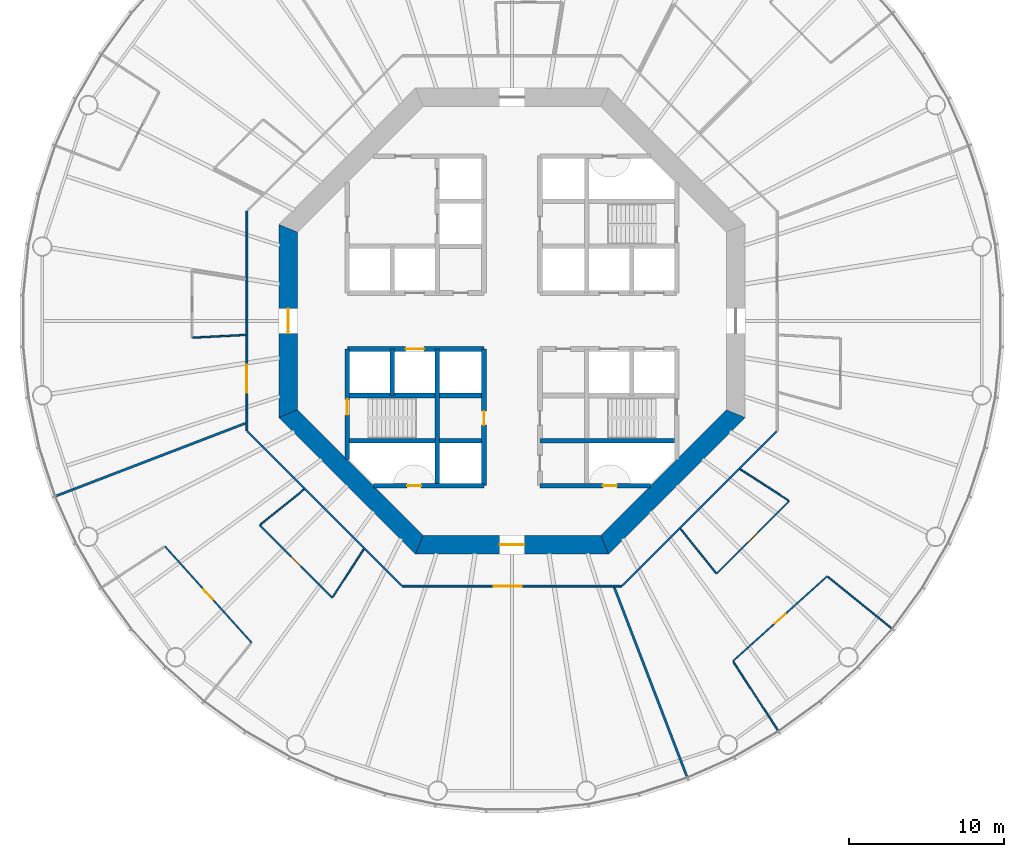
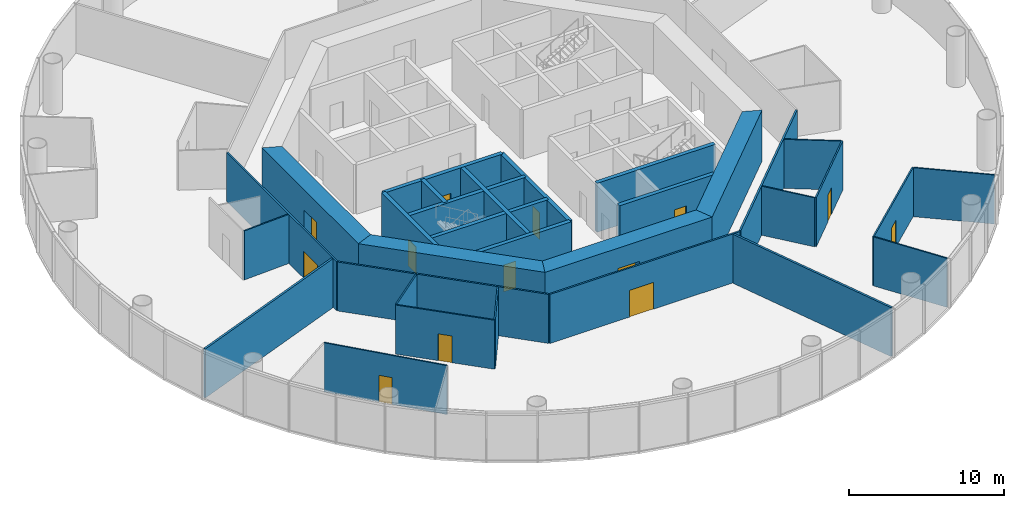
# One storey, part 3 of 13: 31 walls, 13 doors, 13 openings.
"""IFC4 building model written with IfcOpenShell, lengths in metres."""

from ifc_helpers import new_model, si_unit, direction, frame, frame_2d, origin, place, context, subcontext, project, spatial, polyline, rectangle, outline, extrude, material, layer, layer_set, type_object, element, fill, save


model = new_model("IFC4")

# Units and contexts
model_context = context("Model", 3, precision=1e-05, world=origin(), true_north=direction((0.0, 1.0)))
body_context = subcontext(model_context, "Body", "Model", "MODEL_VIEW")
ifc_project = project(units=[si_unit("LENGTHUNIT", "METRE"), si_unit("AREAUNIT", "SQUARE_METRE"), si_unit("VOLUMEUNIT", "CUBIC_METRE"), si_unit("PLANEANGLEUNIT", "RADIAN"), si_unit("MASSUNIT", "GRAM", prefix="KILO")], contexts=[model_context])

# Site, building, storey
site_placement = place(None, origin())
site = spatial("IfcSite", under=ifc_project, at=site_placement, CompositionType="ELEMENT")
building_placement = place(site_placement, origin())
building = spatial("IfcBuilding", under=site, at=building_placement, Name="Entoto Ring Tower", CompositionType="ELEMENT")
storey_placement = place(building_placement, frame((0.0, 0.0, 104.0)))
storey = spatial("IfcBuildingStorey", under=building, at=storey_placement, Name="L23", CompositionType="ELEMENT", Elevation=104.0)

# Wall, opening, door
ifc_material_1 = material(Name="Concrete C40/50", Category="concrete")
ifc_layer_1 = layer(ifc_material_1, 0.300048828125)
ifc_layer_set_1 = layer_set([ifc_layer_1], Name="Concrete C40/50")
wall_type_1 = type_object("IfcWallType", Name="Core enclosure wall 300 mm reinforced concrete", PredefinedType="SOLIDWALL", material=ifc_layer_set_1)
wall_1_placement = place(storey_placement, frame((88.199951171875, 69.39990234375, 0.0), z_axis=(0.0, 0.0, 1.0), x_axis=(0.0, 1.0, 0.0)))
wall_1 = element("IfcWall", 1, at=wall_1_placement, inside=storey, type_object=wall_type_1, Name="wall-L23-009", PredefinedType="SOLIDWALL", context=body_context, shape_type="SweptSolid", body=[
    extrude(rectangle(XDim=8.800048828125, YDim=0.300048828125, at=frame_2d((4.39990234375, 0.0))), origin(), (0.0, 0.0, 1.0), 3.85009765625),
])
opening_1_placement = place(wall_1_placement, frame((3.89990234375, 0.0, 0.0)))
opening_1 = element("IfcOpeningElement", 2, at=opening_1_placement, cuts=wall_1, Name="Opening K-14", PredefinedType="OPENING", context=body_context, shape_type="SweptSolid", body=[
    extrude(rectangle(XDim=0.89990234375, YDim=2.10009765625, at=frame_2d((0.449951171875, 1.050048828125))), frame((0.0, 0.16015625, 0.0), z_axis=(0.0, -1.0, 0.0), x_axis=(1.0, 0.0, 0.0)), (0.0, 0.0, 1.0), 0.320068359375),
])
ifc_material_2 = material(Name="Steel door leaf, fire rated", Category="steel")
ifc_layer_2 = layer(ifc_material_2, 0.050048828125)
ifc_layer_set_2 = layer_set([ifc_layer_2], Name="Steel door leaf, fire rated")
door_type_1 = type_object("IfcDoorType", Name="Core door 900 x 2100 single leaf", OperationType="NOTDEFINED", PredefinedType="DOOR", material=ifc_layer_set_2)
door_1_placement = place(opening_1_placement, origin())
door_1 = element("IfcDoor", 3, at=door_1_placement, inside=storey, type_object=door_type_1, Name="Door K-14", OperationType="SINGLE_SWING_RIGHT", OverallHeight=2.10009765625, OverallWidth=0.89990234375, PredefinedType="DOOR", context=body_context, shape_type="SweptSolid", body=[
    extrude(rectangle(XDim=0.89990234375, YDim=2.10009765625, at=frame_2d((0.449951171875, 1.050048828125))), frame((0.0, 0.02490234375, 0.0), z_axis=(0.0, -1.0, 0.0), x_axis=(1.0, 0.0, 0.0)), (0.0, 0.0, 1.0), 0.050048828125),
])
fill(opening_1, door_1)

# Walls
wall_2_placement = place(storey_placement, frame((85.199951171875, 69.39990234375, 0.0), z_axis=(0.0, 0.0, 1.0), x_axis=(0.0, 1.0, 0.0)))
element("IfcWall", 4, at=wall_2_placement, inside=storey, type_object=wall_type_1, Name="wall-L23-011", PredefinedType="SOLIDWALL", context=body_context, shape_type="SweptSolid", body=[
    extrude(rectangle(XDim=8.800048828125, YDim=0.300048828125, at=frame_2d((4.39990234375, 0.0))), origin(), (0.0, 0.0, 1.0), 3.85009765625),
])
wall_3_placement = place(storey_placement, frame((82.300048828125, 75.199951171875, 0.0), z_axis=(0.0, 0.0, 1.0), x_axis=(0.0, 1.0, 0.0)))
element("IfcWall", 5, at=wall_3_placement, inside=storey, type_object=wall_type_1, Name="wall-L23-013", PredefinedType="SOLIDWALL", context=body_context, shape_type="SweptSolid", body=[
    extrude(rectangle(XDim=3.0, YDim=0.300048828125, at=frame_2d((1.5, 0.0))), origin(), (0.0, 0.0, 1.0), 3.85009765625),
])

# Wall, opening, door
wall_4_placement = place(storey_placement, frame((79.39990234375, 71.083984375, 0.0), z_axis=(0.0, 0.0, 1.0), x_axis=(0.0, 1.0, 0.0)))
wall_4 = element("IfcWall", 6, at=wall_4_placement, inside=storey, type_object=wall_type_1, Name="wall-L23-015", PredefinedType="SOLIDWALL", context=body_context, shape_type="SweptSolid", body=[
    extrude(rectangle(XDim=7.115966796875, YDim=0.300048828125, at=frame_2d((3.55810546875, 0.0))), origin(), (0.0, 0.0, 1.0), 3.85009765625),
])
opening_2_placement = place(wall_4_placement, frame((2.8662109375, 0.0, 0.0)))
opening_2 = element("IfcOpeningElement", 7, at=opening_2_placement, cuts=wall_4, Name="Opening K-59", PredefinedType="OPENING", context=body_context, shape_type="SweptSolid", body=[
    extrude(rectangle(XDim=1.0, YDim=2.10009765625, at=frame_2d((0.5, 1.050048828125))), frame((0.0, 0.16015625, 0.0), z_axis=(0.0, -1.0, 0.0), x_axis=(1.0, 0.0, 0.0)), (0.0, 0.0, 1.0), 0.320068359375),
])
ifc_material_3 = material(Name="Steel door leaf, fire rated", Category="steel")
ifc_layer_3 = layer(ifc_material_3, 0.050048828125)
ifc_layer_set_3 = layer_set([ifc_layer_3], Name="Steel door leaf, fire rated")
door_type_2 = type_object("IfcDoorType", Name="Fire door FD60 1000 x 2100 single leaf", OperationType="NOTDEFINED", PredefinedType="DOOR", material=ifc_layer_set_3)
door_2_placement = place(opening_2_placement, frame((1.0, 0.0, 0.0), z_axis=(0.0, 0.0, 1.0), x_axis=(-1.0, 0.0, 0.0)))
door_2 = element("IfcDoor", 8, at=door_2_placement, inside=storey, type_object=door_type_2, Name="Door K-59", OperationType="SINGLE_SWING_LEFT", OverallHeight=2.10009765625, OverallWidth=1.0, PredefinedType="DOOR", context=body_context, shape_type="SweptSolid", body=[
    extrude(rectangle(XDim=1.0, YDim=2.10009765625, at=frame_2d((0.5, 1.050048828125))), frame((0.0, 0.02490234375, 0.0), z_axis=(0.0, -1.0, 0.0), x_axis=(1.0, 0.0, 0.0)), (0.0, 0.0, 1.0), 0.050048828125),
])
fill(opening_2, door_2)

wall_5_placement = place(storey_placement, frame((81.083984375, 69.39990234375, 0.0), z_axis=(0.0, 0.0, 1.0), x_axis=(1.0, 0.0, 0.0)))
wall_5 = element("IfcWall", 9, at=wall_5_placement, inside=storey, type_object=wall_type_1, Name="wall-L23-017", PredefinedType="SOLIDWALL", context=body_context, shape_type="SweptSolid", body=[
    extrude(rectangle(XDim=7.115966796875, YDim=0.300048828125, at=frame_2d((3.55810546875, 0.0))), origin(), (0.0, 0.0, 1.0), 3.85009765625),
])
opening_3_placement = place(wall_5_placement, frame((2.166015625, 0.0, 0.0)))
opening_3 = element("IfcOpeningElement", 10, at=opening_3_placement, cuts=wall_5, Name="Opening K-66", PredefinedType="OPENING", context=body_context, shape_type="SweptSolid", body=[
    extrude(rectangle(XDim=0.89990234375, YDim=2.10009765625, at=frame_2d((0.449951171875, 1.050048828125))), frame((0.0, 0.16015625, 0.0), z_axis=(0.0, -1.0, 0.0), x_axis=(1.0, 0.0, 0.0)), (0.0, 0.0, 1.0), 0.320068359375),
])
ifc_material_4 = material(Name="Steel door leaf, fire rated", Category="steel")
ifc_layer_4 = layer(ifc_material_4, 0.050048828125)
ifc_layer_set_4 = layer_set([ifc_layer_4], Name="Steel door leaf, fire rated")
door_type_3 = type_object("IfcDoorType", Name="Riser door FD60 900 x 2100 single leaf", OperationType="NOTDEFINED", PredefinedType="DOOR", material=ifc_layer_set_4)
door_3_placement = place(opening_3_placement, origin())
door_3 = element("IfcDoor", 11, at=door_3_placement, inside=storey, type_object=door_type_3, Name="Door K-66", OperationType="SINGLE_SWING_RIGHT", OverallHeight=2.10009765625, OverallWidth=0.89990234375, PredefinedType="DOOR", context=body_context, shape_type="SweptSolid", body=[
    extrude(rectangle(XDim=0.89990234375, YDim=2.10009765625, at=frame_2d((0.449951171875, 1.050048828125))), frame((0.0, 0.02490234375, 0.0), z_axis=(0.0, -1.0, 0.0), x_axis=(1.0, 0.0, 0.0)), (0.0, 0.0, 1.0), 0.050048828125),
])
fill(opening_3, door_3)

wall_6_placement = place(storey_placement, frame((91.800048828125, 69.39990234375, 0.0), z_axis=(0.0, 0.0, 1.0), x_axis=(1.0, 0.0, 0.0)))
wall_6 = element("IfcWall", 12, at=wall_6_placement, inside=storey, type_object=wall_type_1, Name="wall-L23-018", PredefinedType="SOLIDWALL", context=body_context, shape_type="SweptSolid", body=[
    extrude(rectangle(XDim=7.115966796875, YDim=0.300048828125, at=frame_2d((3.55810546875, 0.0))), origin(), (0.0, 0.0, 1.0), 3.85009765625),
])
opening_4_placement = place(wall_6_placement, frame((4.050048828125, 0.0, 0.0)))
opening_4 = element("IfcOpeningElement", 13, at=opening_4_placement, cuts=wall_6, Name="Opening K-68", PredefinedType="OPENING", context=body_context, shape_type="SweptSolid", body=[
    extrude(rectangle(XDim=0.89990234375, YDim=2.10009765625, at=frame_2d((0.449951171875, 1.050048828125))), frame((0.0, 0.16015625, 0.0), z_axis=(0.0, -1.0, 0.0), x_axis=(1.0, 0.0, 0.0)), (0.0, 0.0, 1.0), 0.320068359375),
])
door_4_placement = place(opening_4_placement, origin())
door_4 = element("IfcDoor", 14, at=door_4_placement, inside=storey, type_object=door_type_3, Name="Door K-68", OperationType="SINGLE_SWING_LEFT", OverallHeight=2.10009765625, OverallWidth=0.89990234375, PredefinedType="DOOR", context=body_context, shape_type="SweptSolid", body=[
    extrude(rectangle(XDim=0.89990234375, YDim=2.10009765625, at=frame_2d((0.449951171875, 1.050048828125))), frame((0.0, 0.02490234375, 0.0), z_axis=(0.0, -1.0, 0.0), x_axis=(1.0, 0.0, 0.0)), (0.0, 0.0, 1.0), 0.050048828125),
])
fill(opening_4, door_4)

# Walls
for number, where, z_axis, x_axis, name in (
    (15, (79.39990234375, 72.300048828125, 0.0), (0.0, 0.0, 1.0), (1.0, 0.0, 0.0), "wall-L23-019"),
    (16, (91.800048828125, 72.300048828125, 0.0), (0.0, 0.0, 1.0), (1.0, 0.0, 0.0), "wall-L23-020"),
    (17, (79.39990234375, 75.199951171875, 0.0), (0.0, 0.0, 1.0), (1.0, 0.0, 0.0), "wall-L23-021"),
):
    element("IfcWall", number, at=place(storey_placement, frame(where, z_axis=z_axis, x_axis=x_axis)), inside=storey, type_object=wall_type_1, Name=name, PredefinedType="SOLIDWALL", context=body_context, shape_type="SweptSolid", body=[
        extrude(rectangle(XDim=8.800048828125, YDim=0.300048828125, at=frame_2d((4.39990234375, 0.0))), origin(), (0.0, 0.0, 1.0), 3.85009765625),
    ])

# Wall, opening, door
wall_7_placement = place(storey_placement, frame((79.39990234375, 78.199951171875, 0.0), z_axis=(0.0, 0.0, 1.0), x_axis=(1.0, 0.0, 0.0)))
wall_7 = element("IfcWall", 18, at=wall_7_placement, inside=storey, type_object=wall_type_1, Name="wall-L23-023", PredefinedType="SOLIDWALL", context=body_context, shape_type="SweptSolid", body=[
    extrude(rectangle(XDim=8.800048828125, YDim=0.300048828125, at=frame_2d((4.39990234375, 0.0))), origin(), (0.0, 0.0, 1.0), 3.85009765625),
])
opening_5_placement = place(wall_7_placement, frame((3.75, 0.0, 0.0)))
opening_5 = element("IfcOpeningElement", 19, at=opening_5_placement, cuts=wall_7, Name="Opening LD", PredefinedType="OPENING", context=body_context, shape_type="SweptSolid", body=[
    extrude(rectangle(XDim=1.199951171875, YDim=2.10009765625, at=frame_2d((0.60009765625, 1.050048828125))), frame((0.0, 0.16015625, 0.0), z_axis=(0.0, -1.0, 0.0), x_axis=(1.0, 0.0, 0.0)), (0.0, 0.0, 1.0), 0.320068359375),
])
ifc_material_5 = material(Name="Steel and glass door leaf", Category="steel")
ifc_layer_5 = layer(ifc_material_5, 0.050048828125)
ifc_layer_set_5 = layer_set([ifc_layer_5], Name="Steel and glass door leaf")
door_type_4 = type_object("IfcDoorType", Name="Landing door 1200 x 2100 sliding", OperationType="DOUBLE_DOOR_SLIDING", PredefinedType="DOOR", material=ifc_layer_set_5)
door_5_placement = place(opening_5_placement, origin())
door_5 = element("IfcDoor", 20, at=door_5_placement, inside=storey, type_object=door_type_4, Name="Landing door LB6-LR", OperationType="SLIDING_TO_RIGHT", OverallHeight=2.10009765625, OverallWidth=1.199951171875, PredefinedType="DOOR", context=body_context, shape_type="SweptSolid", body=[
    extrude(rectangle(XDim=1.199951171875, YDim=2.10009765625, at=frame_2d((0.60009765625, 1.050048828125))), frame((0.0, 0.02490234375, 0.0), z_axis=(0.0, -1.0, 0.0), x_axis=(1.0, 0.0, 0.0)), (0.0, 0.0, 1.0), 0.050048828125),
])
fill(opening_5, door_5)

ifc_material_6 = material(Name="Concrete C60/75", Category="concrete")
ifc_layer_6 = layer(ifc_material_6, 1.199951171875)
ifc_layer_set_6 = layer_set([ifc_layer_6], Name="Concrete C60/75")
wall_type_2 = type_object("IfcWallType", Name="Core shear wall 1200 mm reinforced concrete C60/75", PredefinedType="SHEAR", material=ifc_layer_set_6)
wall_8_placement = place(storey_placement, frame((75.60009765625, 85.964599609375, 0.0), z_axis=(0.0, 0.0, 1.0), x_axis=(0.0, -1.0, 0.0)))
wall_8 = element("IfcWall", 21, at=wall_8_placement, inside=storey, type_object=wall_type_2, Name="wall-L23-core-4", PredefinedType="SHEAR", context=body_context, shape_type="SweptSolid", body=[
    extrude(outline(polyline([(-0.24853515625, -0.60009765625), (12.177734375, -0.60009765625), (11.6806640625, 0.60009765625), (0.24853515625, 0.60009765625), (-0.24853515625, -0.60009765625)])), origin(), (0.0, 0.0, 1.0), 4.0),
])
opening_6_placement = place(wall_8_placement, frame((5.164794921875, 0.0, 0.0)))
opening_6 = element("IfcOpeningElement", 22, at=opening_6_placement, cuts=wall_8, Name="Opening K-03", PredefinedType="OPENING", context=body_context, shape_type="SweptSolid", body=[
    extrude(rectangle(XDim=1.60009765625, YDim=2.39990234375, at=frame_2d((0.800048828125, 1.199951171875))), frame((0.0, 0.60986328125, 0.0), z_axis=(0.0, -1.0, 0.0), x_axis=(1.0, 0.0, 0.0)), (0.0, 0.0, 1.0), 1.219970703125),
])
ifc_material_7 = material(Name="Steel door leaf, fire rated", Category="steel")
ifc_layer_7 = layer(ifc_material_7, 0.050048828125)
ifc_layer_set_7 = layer_set([ifc_layer_7], Name="Steel door leaf, fire rated")
door_type_5 = type_object("IfcDoorType", Name="Entrance door FD60 1600 x 2400 double leaf", OperationType="DOUBLE_DOOR_SINGLE_SWING", PredefinedType="DOOR", material=ifc_layer_set_7)
door_6_placement = place(opening_6_placement, origin())
door_6 = element("IfcDoor", 23, at=door_6_placement, inside=storey, type_object=door_type_5, Name="Entrance door K-03", OperationType="DOUBLE_DOOR_SINGLE_SWING", OverallHeight=2.39990234375, OverallWidth=1.60009765625, PredefinedType="DOOR", context=body_context, shape_type="SweptSolid", body=[
    extrude(rectangle(XDim=1.60009765625, YDim=2.39990234375, at=frame_2d((0.800048828125, 1.199951171875))), frame((0.0, 0.02490234375, 0.0), z_axis=(0.0, -1.0, 0.0), x_axis=(1.0, 0.0, 0.0)), (0.0, 0.0, 1.0), 0.050048828125),
])
fill(opening_6, door_6)

# Wall
wall_9_placement = place(storey_placement, frame((75.60009765625, 74.035400390625, 0.0), z_axis=(0.0, 0.0, 1.0), x_axis=(0.707106781187, -0.707106781187, 0.0)))
element("IfcWall", 24, at=wall_9_placement, inside=storey, type_object=wall_type_2, Name="wall-L23-core-5", PredefinedType="SHEAR", context=body_context, shape_type="SweptSolid", body=[
    extrude(outline(polyline([(-0.24853515625, -0.60009765625), (12.177734375, -0.60009765625), (11.6806640625, 0.60009765625), (0.24853515625, 0.60009765625), (-0.24853515625, -0.60009765625)])), origin(), (0.0, 0.0, 1.0), 4.0),
])

# Wall, opening, door
wall_10_placement = place(storey_placement, frame((84.035400390625, 65.60009765625, 0.0), z_axis=(0.0, 0.0, 1.0), x_axis=(1.0, 0.0, 0.0)))
wall_10 = element("IfcWall", 25, at=wall_10_placement, inside=storey, type_object=wall_type_2, Name="wall-L23-core-6", PredefinedType="SHEAR", context=body_context, shape_type="SweptSolid", body=[
    extrude(outline(polyline([(-0.24853515625, -0.60009765625), (12.177734375, -0.60009765625), (11.6806640625, 0.60009765625), (0.24853515625, 0.60009765625), (-0.24853515625, -0.60009765625)])), origin(), (0.0, 0.0, 1.0), 4.0),
])
opening_7_placement = place(wall_10_placement, frame((5.164794921875, 0.0, 0.0)))
opening_7 = element("IfcOpeningElement", 26, at=opening_7_placement, cuts=wall_10, Name="Opening K-04", PredefinedType="OPENING", context=body_context, shape_type="SweptSolid", body=[
    extrude(rectangle(XDim=1.60009765625, YDim=2.39990234375, at=frame_2d((0.800048828125, 1.199951171875))), frame((0.0, 0.60986328125, 0.0), z_axis=(0.0, -1.0, 0.0), x_axis=(1.0, 0.0, 0.0)), (0.0, 0.0, 1.0), 1.219970703125),
])
door_7_placement = place(opening_7_placement, origin())
door_7 = element("IfcDoor", 27, at=door_7_placement, inside=storey, type_object=door_type_5, Name="Entrance door K-04", OperationType="DOUBLE_DOOR_SINGLE_SWING", OverallHeight=2.39990234375, OverallWidth=1.60009765625, PredefinedType="DOOR", context=body_context, shape_type="SweptSolid", body=[
    extrude(rectangle(XDim=1.60009765625, YDim=2.39990234375, at=frame_2d((0.800048828125, 1.199951171875))), frame((0.0, 0.02490234375, 0.0), z_axis=(0.0, -1.0, 0.0), x_axis=(1.0, 0.0, 0.0)), (0.0, 0.0, 1.0), 0.050048828125),
])
fill(opening_7, door_7)

# Wall
wall_11_placement = place(storey_placement, frame((95.964599609375, 65.60009765625, 0.0), z_axis=(0.0, 0.0, 1.0), x_axis=(0.707106781187, 0.707106781187, 0.0)))
element("IfcWall", 28, at=wall_11_placement, inside=storey, type_object=wall_type_2, Name="wall-L23-core-7", PredefinedType="SHEAR", context=body_context, shape_type="SweptSolid", body=[
    extrude(outline(polyline([(-0.24853515625, -0.60009765625), (12.177734375, -0.60009765625), (11.6806640625, 0.60009765625), (0.24853515625, 0.60009765625), (-0.24853515625, -0.60009765625)])), origin(), (0.0, 0.0, 1.0), 4.0),
])

# Wall, opening, door
ifc_material_8 = material(Name="Fire-resisting plasterboard on steel studs", Category="steel")
ifc_layer_8 = layer(ifc_material_8, 0.125)
ifc_layer_set_8 = layer_set([ifc_layer_8], Name="Fire-resisting plasterboard on steel studs")
wall_type_3 = type_object("IfcWallType", Name="Corridor wall 125 mm one-hour plasterboard on steel studs", PredefinedType="PARTITIONING", material=ifc_layer_set_8)
wall_12_placement = place(storey_placement, frame((72.9375, 72.9326171875, 0.0), z_axis=(0.0, 0.0, 1.0), x_axis=(0.0, 1.0, 0.0)))
wall_12 = element("IfcWall", 29, at=wall_12_placement, inside=storey, type_object=wall_type_3, Name="partition-L23-001", PredefinedType="PARTITIONING", context=body_context, shape_type="SweptSolid", body=[
    extrude(rectangle(XDim=14.134765625, YDim=0.125, at=frame_2d((7.0673828125, 0.0))), origin(), (0.0, 0.0, 1.0), 3.85009765625),
])
opening_8_placement = place(wall_12_placement, frame((2.445556640625, 0.0, 0.0)))
opening_8 = element("IfcOpeningElement", 30, at=opening_8_placement, cuts=wall_12, Name="Opening A10-D05", PredefinedType="OPENING", context=body_context, shape_type="SweptSolid", body=[
    extrude(rectangle(XDim=1.800048828125, YDim=2.10009765625, at=frame_2d((0.89990234375, 1.050048828125))), frame((0.0, 0.072509765625, 0.0), z_axis=(0.0, -1.0, 0.0), x_axis=(1.0, 0.0, 0.0)), (0.0, 0.0, 1.0), 0.14501953125),
])
ifc_material_9 = material(Name="Fire-resisting timber door set", Category="wood")
door_type_6 = type_object("IfcDoorType", Name="Door 1800 x 2100 double leaf FD30S fire door", OperationType="DOUBLE_DOOR_SINGLE_SWING", PredefinedType="DOOR", material=ifc_material_9)
door_8_placement = place(opening_8_placement, origin())
door_8 = element("IfcDoor", 31, at=door_8_placement, inside=storey, type_object=door_type_6, Name="Door A10-D05", OperationType="DOUBLE_DOOR_SINGLE_SWING", OverallHeight=2.10009765625, OverallWidth=1.800048828125, PredefinedType="DOOR", context=body_context, shape_type="SweptSolid", body=[
    extrude(rectangle(XDim=1.800048828125, YDim=2.10009765625, at=frame_2d((0.89990234375, 1.050048828125))), frame((0.0, 0.02490234375, 0.0), z_axis=(0.0, -1.0, 0.0), x_axis=(1.0, 0.0, 0.0)), (0.0, 0.0, 1.0), 0.050048828125),
])
fill(opening_8, door_8)

wall_13_placement = place(storey_placement, frame((82.9326171875, 62.9375, 0.0), z_axis=(0.0, 0.0, 1.0), x_axis=(1.0, 0.0, 0.0)))
wall_13 = element("IfcWall", 32, at=wall_13_placement, inside=storey, type_object=wall_type_3, Name="partition-L23-002", PredefinedType="PARTITIONING", context=body_context, shape_type="SweptSolid", body=[
    extrude(rectangle(XDim=14.134765625, YDim=0.125, at=frame_2d((7.0673828125, 0.0))), origin(), (0.0, 0.0, 1.0), 3.85009765625),
])
opening_9_placement = place(wall_13_placement, frame((5.90869140625, 0.0, 0.0)))
opening_9 = element("IfcOpeningElement", 33, at=opening_9_placement, cuts=wall_13, Name="Opening A10-D09", PredefinedType="OPENING", context=body_context, shape_type="SweptSolid", body=[
    extrude(rectangle(XDim=1.800048828125, YDim=2.10009765625, at=frame_2d((0.89990234375, 1.050048828125))), frame((0.0, 0.072509765625, 0.0), z_axis=(0.0, -1.0, 0.0), x_axis=(1.0, 0.0, 0.0)), (0.0, 0.0, 1.0), 0.14501953125),
])
door_9_placement = place(opening_9_placement, frame((1.800048828125, 0.0, 0.0), z_axis=(0.0, 0.0, 1.0), x_axis=(-1.0, 0.0, 0.0)))
door_9 = element("IfcDoor", 34, at=door_9_placement, inside=storey, type_object=door_type_6, Name="Door A10-D09", OperationType="DOUBLE_DOOR_SINGLE_SWING", OverallHeight=2.10009765625, OverallWidth=1.800048828125, PredefinedType="DOOR", context=body_context, shape_type="SweptSolid", body=[
    extrude(rectangle(XDim=1.800048828125, YDim=2.10009765625, at=frame_2d((0.89990234375, 1.050048828125))), frame((0.0, 0.02490234375, 0.0), z_axis=(0.0, -1.0, 0.0), x_axis=(1.0, 0.0, 0.0)), (0.0, 0.0, 1.0), 0.050048828125),
])
fill(opening_9, door_9)

# Walls
for number, where, z_axis, x_axis, name in (
    (35, (82.9013671875, 62.968505859375, 0.0), (0.0, 0.0, 1.0), (-0.707106781187, 0.707106781187, 0.0), "partition-L23-006"),
    (36, (97.0986328125, 62.968505859375, 0.0), (0.0, 0.0, 1.0), (0.707106781187, 0.707106781187, 0.0), "partition-L23-007"),
):
    element("IfcWall", number, at=place(storey_placement, frame(where, z_axis=z_axis, x_axis=x_axis)), inside=storey, type_object=wall_type_3, Name=name, PredefinedType="PARTITIONING", context=body_context, shape_type="SweptSolid", body=[
        extrude(rectangle(XDim=14.047119140625, YDim=0.125, at=frame_2d((7.0234375, 0.0))), origin(), (0.0, 0.0, 1.0), 3.85009765625),
    ])

# Wall, opening, door
ifc_material_10 = material(Name="Plasterboard on steel studs", Category="steel")
ifc_layer_9 = layer(ifc_material_10, 0.10009765625)
ifc_layer_set_9 = layer_set([ifc_layer_9], Name="Plasterboard on steel studs")
wall_type_4 = type_object("IfcWallType", Name="Partition 100 mm plasterboard on steel studs", PredefinedType="PARTITIONING", material=ifc_layer_set_9)
wall_14_placement = place(storey_placement, frame((73.2412109375, 59.3046875, 0.0), z_axis=(0.0, 0.0, 1.0), x_axis=(-0.669128228002, 0.743146966953, 0.0)))
wall_14 = element("IfcWall", 37, at=wall_14_placement, inside=storey, type_object=wall_type_4, Name="partition-L23-013", PredefinedType="PARTITIONING", context=body_context, shape_type="SweptSolid", body=[
    extrude(rectangle(XDim=8.33154296875, YDim=0.10009765625, at=frame_2d((4.165771484375, 0.0))), origin(), (0.0, 0.0, 1.0), 3.85009765625),
])
opening_10_placement = place(wall_14_placement, frame((3.7158203125, 0.0, 0.0)))
opening_10 = element("IfcOpeningElement", 38, at=opening_10_placement, cuts=wall_14, Name="Opening A10-D11", PredefinedType="OPENING", context=body_context, shape_type="SweptSolid", body=[
    extrude(rectangle(XDim=0.89990234375, YDim=2.10009765625, at=frame_2d((0.449951171875, 1.050048828125))), frame((0.0, 0.06005859375, 0.0), z_axis=(0.0, -1.0, 0.0), x_axis=(1.0, 0.0, 0.0)), (0.0, 0.0, 1.0), 0.1201171875),
])
ifc_material_11 = material(Name="Veneered timber door leaf in timber frame", Category="wood")
door_type_7 = type_object("IfcDoorType", Name="Door 900 x 2100 single leaf timber veneer", OperationType="NOTDEFINED", PredefinedType="DOOR", material=ifc_material_11)
door_10_placement = place(opening_10_placement, origin())
door_10 = element("IfcDoor", 39, at=door_10_placement, inside=storey, type_object=door_type_7, Name="Door A10-D11", OperationType="SINGLE_SWING_LEFT", OverallHeight=2.10009765625, OverallWidth=0.89990234375, PredefinedType="DOOR", context=body_context, shape_type="SweptSolid", body=[
    extrude(rectangle(XDim=0.89990234375, YDim=2.10009765625, at=frame_2d((0.449951171875, 1.050048828125))), frame((0.0, 0.02490234375, 0.0), z_axis=(0.0, -1.0, 0.0), x_axis=(1.0, 0.0, 0.0)), (0.0, 0.0, 1.0), 0.050048828125),
])
fill(opening_10, door_10)

wall_15_placement = place(storey_placement, frame((104.215087890625, 58.110595703125, 0.0), z_axis=(0.0, 0.0, 1.0), x_axis=(0.743136543418, 0.669139804403, 0.0)))
wall_15 = element("IfcWall", 40, at=wall_15_placement, inside=storey, type_object=wall_type_4, Name="partition-L23-014", PredefinedType="PARTITIONING", context=body_context, shape_type="SweptSolid", body=[
    extrude(rectangle(XDim=8.165771484375, YDim=0.10009765625, at=frame_2d((4.0830078125, 0.0))), origin(), (0.0, 0.0, 1.0), 3.85009765625),
])
opening_11_placement = place(wall_15_placement, frame((3.6328125, 0.0, 0.0)))
opening_11 = element("IfcOpeningElement", 41, at=opening_11_placement, cuts=wall_15, Name="Opening A10-D15", PredefinedType="OPENING", context=body_context, shape_type="SweptSolid", body=[
    extrude(rectangle(XDim=0.89990234375, YDim=2.10009765625, at=frame_2d((0.449951171875, 1.050048828125))), frame((0.0, 0.06005859375, 0.0), z_axis=(0.0, -1.0, 0.0), x_axis=(1.0, 0.0, 0.0)), (0.0, 0.0, 1.0), 0.1201171875),
])
door_11_placement = place(opening_11_placement, frame((0.89990234375, 0.0, 0.0), z_axis=(0.0, 0.0, 1.0), x_axis=(-1.0, 0.0, 0.0)))
door_11 = element("IfcDoor", 42, at=door_11_placement, inside=storey, type_object=door_type_7, Name="Door A10-D15", OperationType="SINGLE_SWING_RIGHT", OverallHeight=2.10009765625, OverallWidth=0.89990234375, PredefinedType="DOOR", context=body_context, shape_type="SweptSolid", body=[
    extrude(rectangle(XDim=0.89990234375, YDim=2.10009765625, at=frame_2d((0.449951171875, 1.050048828125))), frame((0.0, 0.02490234375, 0.0), z_axis=(0.0, -1.0, 0.0), x_axis=(1.0, 0.0, 0.0)), (0.0, 0.0, 1.0), 0.050048828125),
])
fill(opening_11, door_11)

wall_16_placement = place(storey_placement, frame((103.169921875, 63.736572265625, 0.0), z_axis=(0.0, 0.0, 1.0), x_axis=(0.707088317181, 0.70712524471, 0.0)))
wall_16 = element("IfcWall", 43, at=wall_16_placement, inside=storey, type_object=wall_type_4, Name="partition-L23-016", PredefinedType="PARTITIONING", context=body_context, shape_type="SweptSolid", body=[
    extrude(rectangle(XDim=6.611328125, YDim=0.10009765625, at=frame_2d((3.3056640625, 0.0))), origin(), (0.0, 0.0, 1.0), 3.85009765625),
])
opening_12_placement = place(wall_16_placement, frame((2.855712890625, 0.0, 0.0)))
opening_12 = element("IfcOpeningElement", 44, at=opening_12_placement, cuts=wall_16, Name="Opening A10-D13", PredefinedType="OPENING", context=body_context, shape_type="SweptSolid", body=[
    extrude(rectangle(XDim=0.89990234375, YDim=2.10009765625, at=frame_2d((0.449951171875, 1.050048828125))), frame((0.0, 0.06005859375, 0.0), z_axis=(0.0, -1.0, 0.0), x_axis=(1.0, 0.0, 0.0)), (0.0, 0.0, 1.0), 0.1201171875),
])
door_12_placement = place(opening_12_placement, origin())
door_12 = element("IfcDoor", 45, at=door_12_placement, inside=storey, type_object=door_type_7, Name="Door A10-D13", OperationType="SINGLE_SWING_RIGHT", OverallHeight=2.10009765625, OverallWidth=0.89990234375, PredefinedType="DOOR", context=body_context, shape_type="SweptSolid", body=[
    extrude(rectangle(XDim=0.89990234375, YDim=2.10009765625, at=frame_2d((0.449951171875, 1.050048828125))), frame((0.0, 0.02490234375, 0.0), z_axis=(0.0, -1.0, 0.0), x_axis=(1.0, 0.0, 0.0)), (0.0, 0.0, 1.0), 0.050048828125),
])
fill(opening_12, door_12)

wall_17_placement = place(storey_placement, frame((78.43359375, 62.189453125, 0.0), z_axis=(0.0, 0.0, 1.0), x_axis=(-0.707088281434, 0.707125280455, 0.0)))
wall_17 = element("IfcWall", 46, at=wall_17_placement, inside=storey, type_object=wall_type_4, Name="partition-L23-017", PredefinedType="PARTITIONING", context=body_context, shape_type="SweptSolid", body=[
    extrude(rectangle(XDim=6.5986328125, YDim=0.10009765625, at=frame_2d((3.29931640625, 0.0))), origin(), (0.0, 0.0, 1.0), 3.85009765625),
])
opening_13_placement = place(wall_17_placement, frame((2.849365234375, 0.0, 0.0)))
opening_13 = element("IfcOpeningElement", 47, at=opening_13_placement, cuts=wall_17, Name="Opening A10-D10", PredefinedType="OPENING", context=body_context, shape_type="SweptSolid", body=[
    extrude(rectangle(XDim=0.89990234375, YDim=2.10009765625, at=frame_2d((0.449951171875, 1.050048828125))), frame((0.0, 0.06005859375, 0.0), z_axis=(0.0, -1.0, 0.0), x_axis=(1.0, 0.0, 0.0)), (0.0, 0.0, 1.0), 0.1201171875),
])
door_13_placement = place(opening_13_placement, frame((0.89990234375, 0.0, 0.0), z_axis=(0.0, 0.0, 1.0), x_axis=(-1.0, 0.0, 0.0)))
door_13 = element("IfcDoor", 48, at=door_13_placement, inside=storey, type_object=door_type_7, Name="Door A10-D10", OperationType="SINGLE_SWING_RIGHT", OverallHeight=2.10009765625, OverallWidth=0.89990234375, PredefinedType="DOOR", context=body_context, shape_type="SweptSolid", body=[
    extrude(rectangle(XDim=0.89990234375, YDim=2.10009765625, at=frame_2d((0.449951171875, 1.050048828125))), frame((0.0, 0.02490234375, 0.0), z_axis=(0.0, -1.0, 0.0), x_axis=(1.0, 0.0, 0.0)), (0.0, 0.0, 1.0), 0.050048828125),
])
fill(opening_13, door_13)

# Walls
for number, where, z_axis, x_axis, name in (
    (49, (107.12353515625, 53.632080078125, 0.0), (0.0, 0.0, 1.0), (-0.544639586566, 0.838670209764, 0.0), "partition-L23-020"),
    (50, (114.43359375, 60.214111328125, 0.0), (0.0, 0.0, 1.0), (-0.777154597768, 0.629309725945, 0.0), "partition-L23-021"),
):
    element("IfcWall", number, at=place(storey_placement, frame(where, z_axis=z_axis, x_axis=x_axis)), inside=storey, type_object=wall_type_4, Name=name, PredefinedType="PARTITIONING", context=body_context, shape_type="SweptSolid", body=[
        extrude(rectangle(XDim=5.290771484375, YDim=0.10009765625, at=frame_2d((2.6455078125, 0.0))), origin(), (0.0, 0.0, 1.0), 3.85009765625),
    ])
wall_18_placement = place(storey_placement, frame((107.793212890625, 68.445068359375, 0.0), z_axis=(0.0, 0.0, 1.0), x_axis=(-0.838683374187, 0.544619314624, 0.0)))
element("IfcWall", 51, at=wall_18_placement, inside=storey, type_object=wall_type_4, Name="partition-L23-036", PredefinedType="PARTITIONING", context=body_context, shape_type="SweptSolid", body=[
    extrude(rectangle(XDim=3.69775390625, YDim=0.10009765625, at=frame_2d((1.848876953125, 0.0))), origin(), (0.0, 0.0, 1.0), 3.85009765625),
])
wall_19_placement = place(storey_placement, frame((78.46728515625, 62.2412109375, 0.0), z_axis=(0.0, 0.0, 1.0), x_axis=(0.544645694367, 0.838666243274, 0.0)))
element("IfcWall", 52, at=wall_19_placement, inside=storey, type_object=wall_type_4, Name="partition-L23-037", PredefinedType="PARTITIONING", context=body_context, shape_type="SweptSolid", body=[
    extrude(rectangle(XDim=3.656982421875, YDim=0.10009765625, at=frame_2d((1.82861328125, 0.0))), origin(), (0.0, 0.0, 1.0), 3.85009765625),
])
wall_20_placement = place(storey_placement, frame((103.135009765625, 63.77978515625, 0.0), z_axis=(0.0, 0.0, 1.0), x_axis=(-0.62932917084, 0.777138851641, 0.0)))
element("IfcWall", 53, at=wall_20_placement, inside=storey, type_object=wall_type_4, Name="partition-L23-038", PredefinedType="PARTITIONING", context=body_context, shape_type="SweptSolid", body=[
    extrude(rectangle(XDim=3.64697265625, YDim=0.10009765625, at=frame_2d((1.823486328125, 0.0))), origin(), (0.0, 0.0, 1.0), 3.85009765625),
])
wall_21_placement = place(storey_placement, frame((73.810791015625, 66.890380859375, 0.0), z_axis=(0.0, 0.0, 1.0), x_axis=(0.777177086916, 0.629281952365, 0.0)))
element("IfcWall", 54, at=wall_21_placement, inside=storey, type_object=wall_type_4, Name="partition-L23-039", PredefinedType="PARTITIONING", context=body_context, shape_type="SweptSolid", body=[
    extrude(rectangle(XDim=3.60693359375, YDim=0.10009765625, at=frame_2d((1.803466796875, 0.0))), origin(), (0.0, 0.0, 1.0), 3.85009765625),
])
wall_22_placement = place(storey_placement, frame((69.47021484375, 78.924072265625, 0.0), z_axis=(0.0, 0.0, 1.0), x_axis=(0.998630667157, 0.052314344243, 0.0)))
element("IfcWall", 55, at=wall_22_placement, inside=storey, type_object=wall_type_4, Name="partition-L23-042", PredefinedType="PARTITIONING", context=body_context, shape_type="SweptSolid", body=[
    extrude(rectangle(XDim=3.40673828125, YDim=0.10009765625, at=frame_2d((1.703369140625, 0.0))), origin(), (0.0, 0.0, 1.0), 3.85009765625),
])
ifc_material_12 = material(Name="Fire-resisting acoustic plasterboard on steel studs", Category="steel")
ifc_layer_10 = layer(ifc_material_12, 0.14990234375)
ifc_layer_set_10 = layer_set([ifc_layer_10], Name="Fire-resisting acoustic plasterboard on steel studs")
wall_type_5 = type_object("IfcWallType", Name="Party wall 150 mm one-hour acoustic plasterboard on steel studs", PredefinedType="PARTITIONING", material=ifc_layer_set_10)
for number, where, z_axis, x_axis, name in (
    (56, (60.648193359375, 68.73291015625, 0.0), (0.0, 0.0, 1.0), (0.933583261388, 0.358360564315, 0.0), "partition-L23-010"),
    (57, (101.26708984375, 50.648193359375, 0.0), (0.0, 0.0, 1.0), (-0.358360564315, 0.933583261388, 0.0), "partition-L23-011"),
):
    element("IfcWall", number, at=place(storey_placement, frame(where, z_axis=z_axis, x_axis=x_axis)), inside=storey, type_object=wall_type_5, Name=name, PredefinedType="PARTITIONING", context=body_context, shape_type="SweptSolid", body=[
        extrude(rectangle(XDim=13.068115234375, YDim=0.14990234375, at=frame_2d((6.5341796875, 0.0))), origin(), (0.0, 0.0, 1.0), 3.85009765625),
    ])

save(model, "model.ifc")
